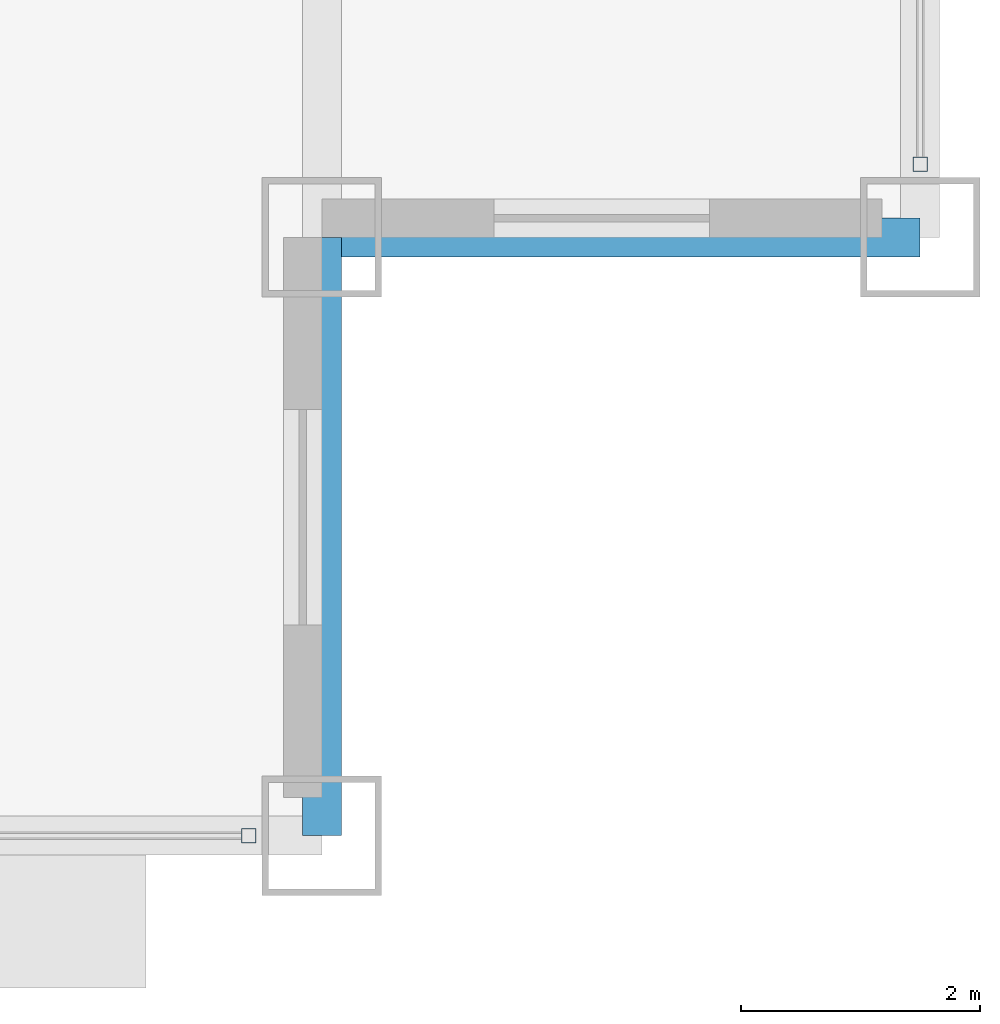
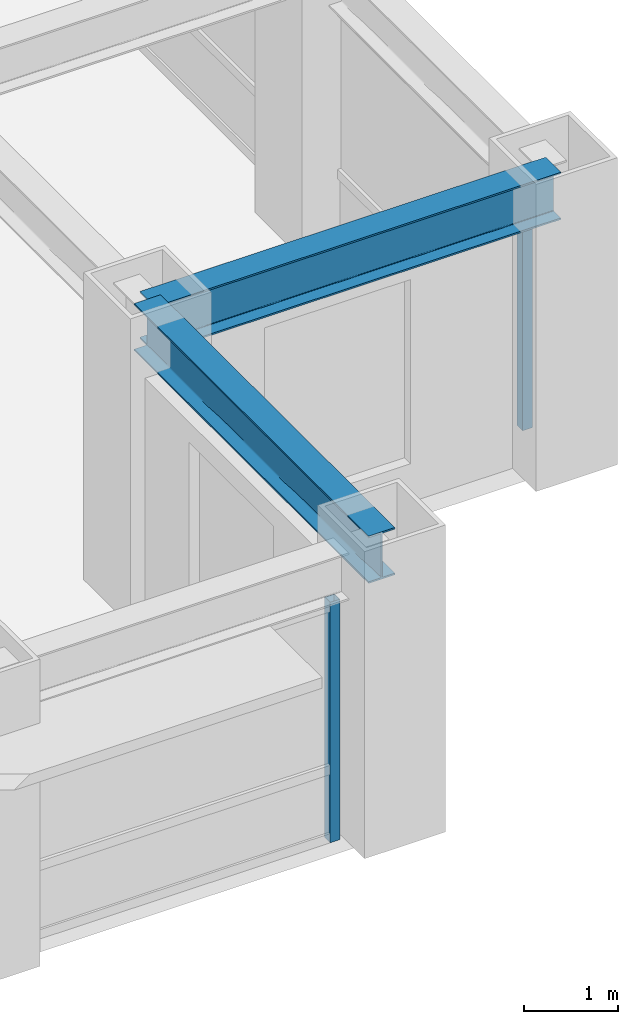
# One storey, part 8 of 29: 2 beams, 2 members, 2 elements without a shape of their own.
"""IFC4 building model written with IfcOpenShell, lengths in metres."""

from ifc_helpers import new_model, si_unit, direction, frame, origin, origin_2d, place, context, subcontext, project, spatial, hollow_rectangle, i_section, extrude, source, transform, mapped, material, material_profile, profile_set, type_object, element, aggregate, save


model = new_model("IFC4")

# Units and contexts
model_context = context("Model", 3, precision=1e-05, world=origin(), true_north=direction((0.0, 1.0)))
body_context = subcontext(model_context, "Body", "Model", "MODEL_VIEW")
ifc_project = project(units=[si_unit("LENGTHUNIT", "METRE"), si_unit("AREAUNIT", "SQUARE_METRE"), si_unit("VOLUMEUNIT", "CUBIC_METRE"), si_unit("PLANEANGLEUNIT", "RADIAN"), si_unit("MASSUNIT", "GRAM", prefix="KILO")], contexts=[model_context])

# Site, building, storey
site_placement = place(None, origin())
site = spatial("IfcSite", under=ifc_project, at=site_placement, CompositionType="ELEMENT")
building_placement = place(site_placement, origin())
building = spatial("IfcBuilding", under=site, at=building_placement, Name="Khorayat Bourse Tower", CompositionType="ELEMENT")
storey_placement = place(building_placement, frame((0.0, 0.0, 235.10009765625)))
storey = spatial("IfcBuildingStorey", under=building, at=storey_placement, Name="L55", CompositionType="ELEMENT", Elevation=235.10009765625)

# Beams
ifc_material_1 = material(Name="Steel ASTM A992 Grade 50", Category="steel")
ifc_material_profile_1 = material_profile(ifc_material_1, i_section(OverallWidth=0.324951171875, OverallDepth=0.615966796875, WebThickness=0.013916015625, FlangeThickness=0.021484375, FilletRadius=0.01611328125, at=origin_2d()), Name="W610X174")
ifc_profile_set_1 = profile_set([ifc_material_profile_1], Name="Steel ASTM A992 Grade 50")
beam_type = type_object("IfcBeamType", Name="BM-SPAN-610", PredefinedType="SPANDREL", material=ifc_profile_set_1)
shared_shape_1 = source(origin(), body_context, "Body", "SweptSolid", [
    extrude(i_section(OverallWidth=0.324951171875, OverallDepth=0.615966796875, WebThickness=0.013916015625, FlangeThickness=0.021484375, FilletRadius=0.01611328125, at=origin_2d()), origin(), (0.0, 0.0, 1.0), 5.0),
])
for number, where, z_axis, x_axis, name in (
    (1, (25.0, -30.0, 3.471923828125), (0.0, 1.0, 0.0), (-1.0, 0.0, 0.0), "L55 BM-SPAN-610 BM-L55-SPN-032"),
    (2, (25.0, -25.0, 3.471923828125), (1.0, 0.0, 0.0), (0.0, 1.0, 0.0), "L55 BM-SPAN-610 BM-L55-SPN-033"),
):
    element("IfcBeam", number, at=place(storey_placement, frame(where, z_axis=z_axis, x_axis=x_axis)), inside=storey, type_object=beam_type, Name=name, PredefinedType="SPANDREL", context=body_context, shape_type="MappedRepresentation", body=[
        mapped(shared_shape_1, transform((0.0, 0.0, 0.0), scale=1.0)),
    ])

# Curtain wall, member
ifc_material_2 = material(Name="Aluminium EN AW-6063 T6", Category="aluminium")
curtain_wall_type = type_object("IfcCurtainWallType", Name="CW-SYS-03", PredefinedType="NOTDEFINED", material=ifc_material_2)
curtain_wall_1_placement = place(storey_placement, origin())
curtain_wall_1 = element("IfcCurtainWall", 3, at=curtain_wall_1_placement, inside=storey, type_object=curtain_wall_type, Name="L55 Curtain Wall CW-L55-S1", PredefinedType="NOTDEFINED")
ifc_material_profile_2 = material_profile(ifc_material_2, hollow_rectangle(XDim=0.1201171875, YDim=0.1201171875, WallThickness=0.0048828125, at=origin_2d()), Name="ALU 120x120x5")
ifc_profile_set_2 = profile_set([ifc_material_profile_2], Name="Aluminium EN AW-6063 T6")
member_type = type_object("IfcMemberType", Name="CWM-VERT-120", PredefinedType="MULLION", material=ifc_profile_set_2)
shared_shape_2 = source(origin(), body_context, "Body", "SweptSolid", [
    extrude(hollow_rectangle(XDim=0.1201171875, YDim=0.1201171875, WallThickness=0.0048828125, at=origin_2d()), origin(), (0.0, 0.0, 1.0), 3.1298828125),
])
member_1_placement = place(storey_placement, frame((24.389892578125, -30.0, 0.0), z_axis=(0.0, 0.0, 1.0), x_axis=(0.0, 1.0, 0.0)))
member_1 = element("IfcMember", 4, at=member_1_placement, type_object=member_type, Name="CW-L55-S1 Vertical Mullion 3", PredefinedType="MULLION", context=body_context, shape_type="MappedRepresentation", body=[
    mapped(shared_shape_2, transform((0.0, 0.0, 0.0), scale=1.0)),
])
aggregate(curtain_wall_1, [member_1])

curtain_wall_2_placement = place(storey_placement, origin())
curtain_wall_2 = element("IfcCurtainWall", 5, at=curtain_wall_2_placement, inside=storey, type_object=curtain_wall_type, Name="L55 Curtain Wall CW-L55-E1", PredefinedType="NOTDEFINED")
member_2_placement = place(storey_placement, frame((30.0, -24.389892578125, 0.0), z_axis=(0.0, 0.0, 1.0), x_axis=(-1.0, 0.0, 0.0)))
member_2 = element("IfcMember", 6, at=member_2_placement, type_object=member_type, Name="CW-L55-E1 Vertical Mullion 1", PredefinedType="MULLION", context=body_context, shape_type="MappedRepresentation", body=[
    mapped(shared_shape_2, transform((0.0, 0.0, 0.0), scale=1.0)),
])
aggregate(curtain_wall_2, [member_2])

save(model, "model.ifc")
